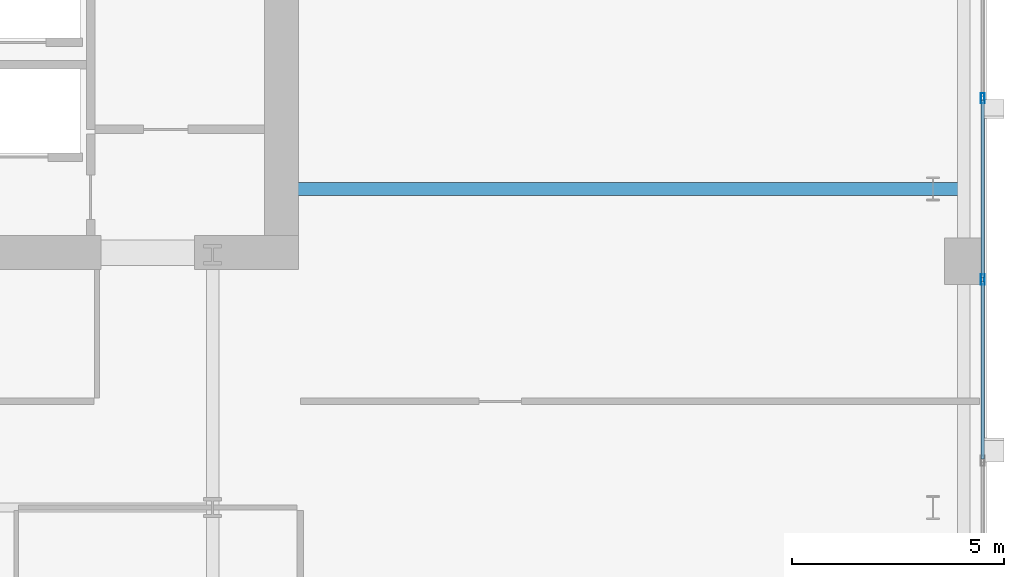
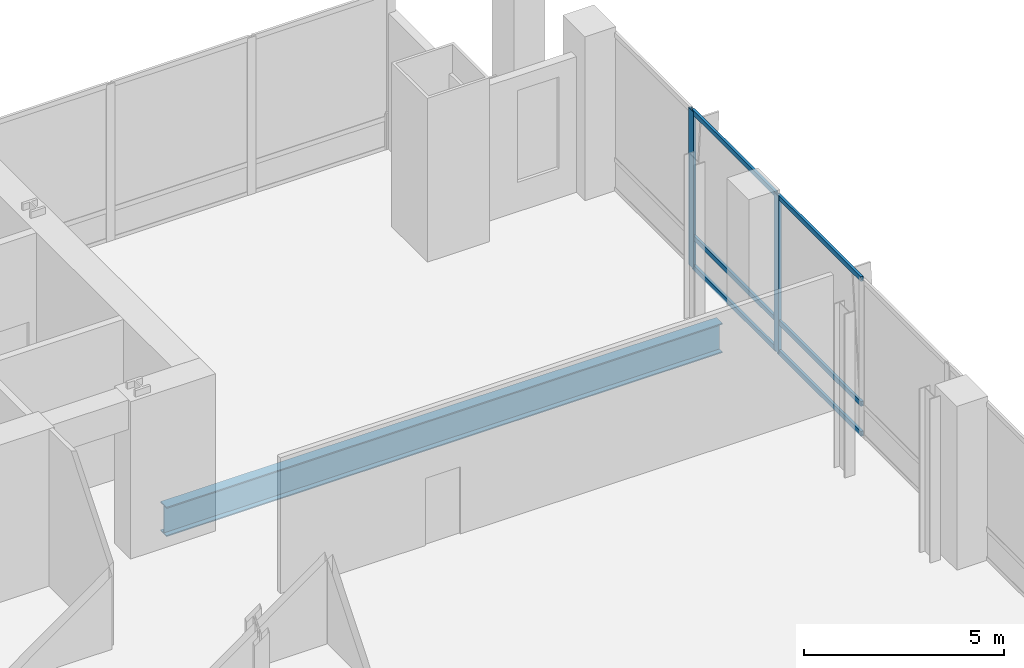
# One storey, part 17 of 26: 8 members, 1 beam, 1 element without a shape of its own.
"""IFC4 building model written with IfcOpenShell, lengths in metres."""

from ifc_helpers import new_model, si_unit, direction, frame, origin, origin_2d, place, context, subcontext, project, spatial, hollow_rectangle, i_section, extrude, material, material_profile, profile_set, type_object, element, aggregate, save


model = new_model("IFC4")

# Units and contexts
model_context = context("Model", 3, precision=1e-05, world=origin(), true_north=direction((0.0, 1.0)))
body_context = subcontext(model_context, "Body", "Model", "MODEL_VIEW")
ifc_project = project(units=[si_unit("LENGTHUNIT", "METRE"), si_unit("AREAUNIT", "SQUARE_METRE"), si_unit("VOLUMEUNIT", "CUBIC_METRE"), si_unit("PLANEANGLEUNIT", "RADIAN"), si_unit("MASSUNIT", "GRAM", prefix="KILO")], contexts=[model_context])

# Site, building, storey
site_placement = place(None, origin())
site = spatial("IfcSite", under=ifc_project, at=site_placement, CompositionType="ELEMENT")
building_placement = place(site_placement, origin())
building = spatial("IfcBuilding", under=site, at=building_placement, Name="Khoronbel Lancet Exchange", CompositionType="ELEMENT")
storey_placement = place(building_placement, frame((0.0, 0.0, 5.39990234375)))
storey = spatial("IfcBuildingStorey", under=building, at=storey_placement, Name="L01", CompositionType="ELEMENT", Elevation=5.39990234375)

# Beam
ifc_material_1 = material(Name="Steel S355", Category="steel")
ifc_material_profile_1 = material_profile(ifc_material_1, i_section(OverallWidth=0.300048828125, OverallDepth=0.89990234375, WebThickness=0.0185546875, FlangeThickness=0.034912109375, at=origin_2d()), Name="HEB 900")
ifc_profile_set_1 = profile_set([ifc_material_profile_1], Name="Steel S355")
beam_type = type_object("IfcBeamType", Name="BM-BG1", PredefinedType="BEAM", material=ifc_profile_set_1)
beam_placement = place(storey_placement, frame((56.300048828125, 43.199951171875, -0.64990234375), z_axis=(1.0, 0.0, 0.0), x_axis=(0.0, 1.0, 0.0)))
element("IfcBeam", 1, at=beam_placement, inside=storey, type_object=beam_type, Name="Level L01 east lens tie girder LG3E", PredefinedType="BEAM", context=body_context, shape_type="SweptSolid", body=[
    extrude(i_section(OverallWidth=0.300048828125, OverallDepth=0.89990234375, WebThickness=0.0185546875, FlangeThickness=0.034912109375, at=origin_2d()), origin(), (0.0, 0.0, 1.0), 16.050048828125),
])

# Curtain wall, members
ifc_material_2 = material(Name="Low-E Solar Control Insulating Glass", Category="glass")
curtain_wall_type = type_object("IfcCurtainWallType", Name="CW-5", PredefinedType="NOTDEFINED", material=ifc_material_2)
curtain_wall_placement = place(storey_placement, origin())
curtain_wall = element("IfcCurtainWall", 2, at=curtain_wall_placement, inside=storey, type_object=curtain_wall_type, Name="Unitised curtain wall CW-L01-EAST", PredefinedType="NOTDEFINED")
ifc_material_3 = material(Name="Bronze-Anodised Aluminium 6063-T6", Category="aluminium")
ifc_material_profile_2 = material_profile(ifc_material_3, hollow_rectangle(XDim=0.0849609375, YDim=0.239990234375, WallThickness=0.006103515625, at=origin_2d()), Name="ALU MULLION 85x240")
ifc_profile_set_2 = profile_set([ifc_material_profile_2], Name="Bronze-Anodised Aluminium 6063-T6")
member_type_1 = type_object("IfcMemberType", Name="MEM-CWM1", PredefinedType="MULLION", material=ifc_profile_set_2)
member_1_placement = place(storey_placement, frame((72.800048828125, 41.066650390625, 0.0), z_axis=(0.0, 0.0, 1.0), x_axis=(-1.0, 0.0, 0.0)))
member_1 = element("IfcMember", 3, at=member_1_placement, type_object=member_type_1, Name="CW5 mullion 8", PredefinedType="MULLION", context=body_context, shape_type="SweptSolid", body=[
    extrude(hollow_rectangle(XDim=0.0849609375, YDim=0.239990234375, WallThickness=0.006103515625, at=origin_2d()), origin(), (0.0, 0.0, 1.0), 4.800048828125),
])
member_2_placement = place(storey_placement, frame((72.800048828125, 45.333251953125, 0.0), z_axis=(0.0, 0.0, 1.0), x_axis=(-1.0, 0.0, 0.0)))
member_2 = element("IfcMember", 4, at=member_2_placement, type_object=member_type_1, Name="CW5 mullion 9", PredefinedType="MULLION", context=body_context, shape_type="SweptSolid", body=[
    extrude(hollow_rectangle(XDim=0.0849609375, YDim=0.239990234375, WallThickness=0.006103515625, at=origin_2d()), origin(), (0.0, 0.0, 1.0), 4.800048828125),
])
ifc_material_profile_3 = material_profile(ifc_material_3, hollow_rectangle(XDim=0.074951171875, YDim=0.14990234375, WallThickness=0.00439453125, at=origin_2d()), Name="ALU TRANSOM 75x150")
ifc_profile_set_3 = profile_set([ifc_material_profile_3], Name="Bronze-Anodised Aluminium 6063-T6")
member_type_2 = type_object("IfcMemberType", Name="MEM-CWT2", PredefinedType="USERDEFINED", material=ifc_profile_set_3)
member_3_placement = place(storey_placement, frame((72.800048828125, 36.842529296875, 0.03759765625), z_axis=(0.0, 1.0, 0.0), x_axis=(-1.0, 0.0, 0.0)))
member_3 = element("IfcMember", 5, at=member_3_placement, type_object=member_type_2, Name="CW5 transom 7.1", ObjectType="TRANSOM", PredefinedType="USERDEFINED", context=body_context, shape_type="SweptSolid", body=[
    extrude(hollow_rectangle(XDim=0.074951171875, YDim=0.14990234375, WallThickness=0.00439453125, at=origin_2d()), origin(), (0.0, 0.0, 1.0), 4.181640625),
])
member_4_placement = place(storey_placement, frame((72.800048828125, 36.842529296875, 0.9501953125), z_axis=(0.0, 1.0, 0.0), x_axis=(-1.0, 0.0, 0.0)))
member_4 = element("IfcMember", 6, at=member_4_placement, type_object=member_type_2, Name="CW5 transom 7.2", ObjectType="TRANSOM", PredefinedType="USERDEFINED", context=body_context, shape_type="SweptSolid", body=[
    extrude(hollow_rectangle(XDim=0.074951171875, YDim=0.14990234375, WallThickness=0.00439453125, at=origin_2d()), origin(), (0.0, 0.0, 1.0), 4.181640625),
])
member_5_placement = place(storey_placement, frame((72.800048828125, 36.842529296875, 4.7626953125), z_axis=(0.0, 1.0, 0.0), x_axis=(-1.0, 0.0, 0.0)))
member_5 = element("IfcMember", 7, at=member_5_placement, type_object=member_type_2, Name="CW5 transom 7.3", ObjectType="TRANSOM", PredefinedType="USERDEFINED", context=body_context, shape_type="SweptSolid", body=[
    extrude(hollow_rectangle(XDim=0.074951171875, YDim=0.14990234375, WallThickness=0.00439453125, at=origin_2d()), origin(), (0.0, 0.0, 1.0), 4.181640625),
])
member_6_placement = place(storey_placement, frame((72.800048828125, 41.109130859375, 0.03759765625), z_axis=(0.0, 1.0, 0.0), x_axis=(-1.0, 0.0, 0.0)))
member_6 = element("IfcMember", 8, at=member_6_placement, type_object=member_type_2, Name="CW5 transom 8.1", ObjectType="TRANSOM", PredefinedType="USERDEFINED", context=body_context, shape_type="SweptSolid", body=[
    extrude(hollow_rectangle(XDim=0.074951171875, YDim=0.14990234375, WallThickness=0.00439453125, at=origin_2d()), origin(), (0.0, 0.0, 1.0), 4.181640625),
])
member_7_placement = place(storey_placement, frame((72.800048828125, 41.109130859375, 0.9501953125), z_axis=(0.0, 1.0, 0.0), x_axis=(-1.0, 0.0, 0.0)))
member_7 = element("IfcMember", 9, at=member_7_placement, type_object=member_type_2, Name="CW5 transom 8.2", ObjectType="TRANSOM", PredefinedType="USERDEFINED", context=body_context, shape_type="SweptSolid", body=[
    extrude(hollow_rectangle(XDim=0.074951171875, YDim=0.14990234375, WallThickness=0.00439453125, at=origin_2d()), origin(), (0.0, 0.0, 1.0), 4.181640625),
])
member_8_placement = place(storey_placement, frame((72.800048828125, 41.109130859375, 4.7626953125), z_axis=(0.0, 1.0, 0.0), x_axis=(-1.0, 0.0, 0.0)))
member_8 = element("IfcMember", 10, at=member_8_placement, type_object=member_type_2, Name="CW5 transom 8.3", ObjectType="TRANSOM", PredefinedType="USERDEFINED", context=body_context, shape_type="SweptSolid", body=[
    extrude(hollow_rectangle(XDim=0.074951171875, YDim=0.14990234375, WallThickness=0.00439453125, at=origin_2d()), origin(), (0.0, 0.0, 1.0), 4.181640625),
])
aggregate(curtain_wall, [member_1, member_2, member_3, member_4, member_5, member_6, member_7, member_8])

save(model, "model.ifc")
